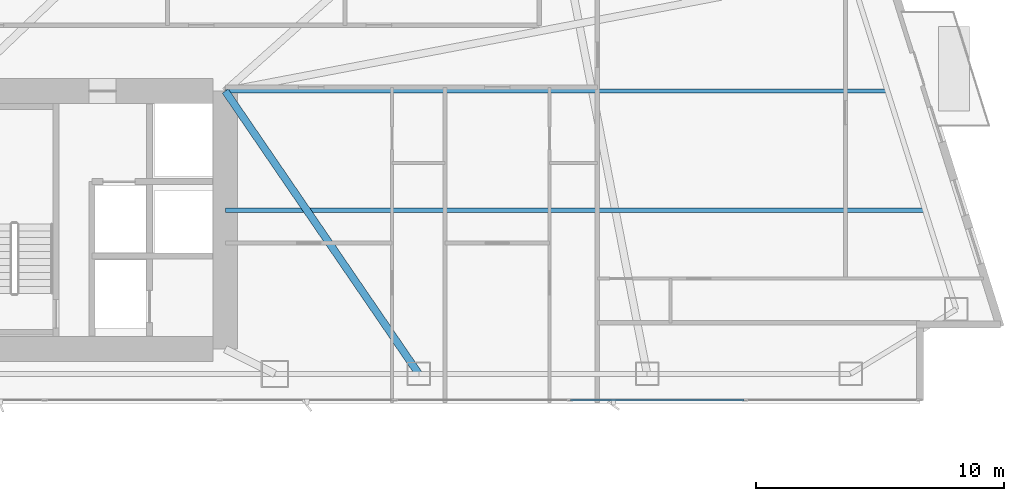
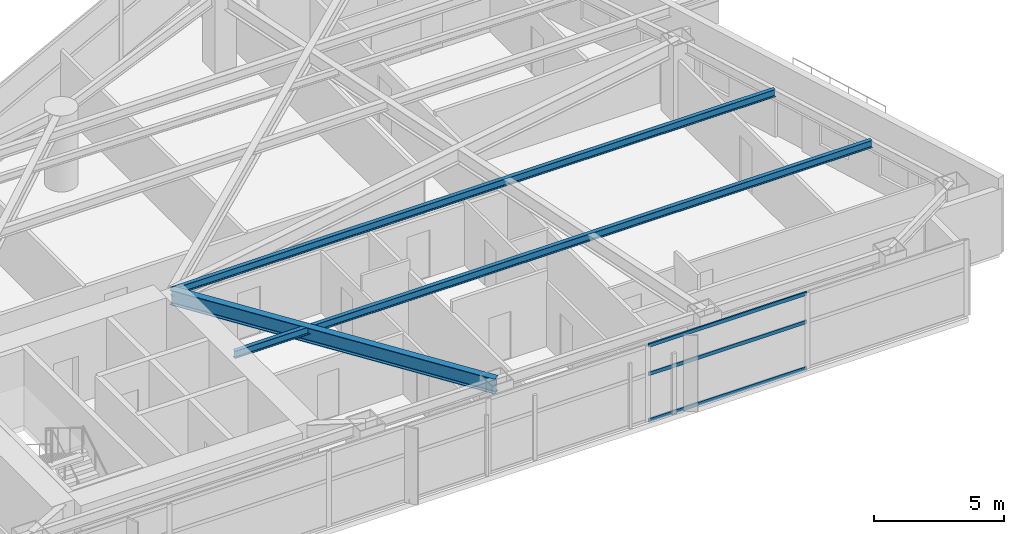
# One storey, part 13 of 29: 3 beams, 3 members, 1 element without a shape of its own.
"""IFC4 building model written with IfcOpenShell, lengths in metres."""

from ifc_helpers import new_model, si_unit, direction, frame, origin, origin_2d, place, context, subcontext, project, spatial, hollow_rectangle, i_section, extrude, material, layer, layer_set, material_profile, profile_set, type_object, element, aggregate, save


model = new_model("IFC4")

# Units and contexts
model_context = context("Model", 3, precision=1e-05, world=origin(), true_north=direction((0.0, 1.0)))
body_context = subcontext(model_context, "Body", "Model", "MODEL_VIEW")
ifc_project = project(units=[si_unit("LENGTHUNIT", "METRE"), si_unit("AREAUNIT", "SQUARE_METRE"), si_unit("VOLUMEUNIT", "CUBIC_METRE"), si_unit("PLANEANGLEUNIT", "RADIAN"), si_unit("MASSUNIT", "GRAM", prefix="KILO")], contexts=[model_context])

# Site, building, storey
site_placement = place(None, origin())
site = spatial("IfcSite", under=ifc_project, at=site_placement, CompositionType="ELEMENT")
building_placement = place(site_placement, origin())
building = spatial("IfcBuilding", under=site, at=building_placement, Name="Calvorn Quay Hotel", CompositionType="ELEMENT")
storey_placement = place(building_placement, frame((0.0, 0.0, 38.39990234375)))
storey = spatial("IfcBuildingStorey", under=building, at=storey_placement, Name="L08", CompositionType="ELEMENT", Elevation=38.39990234375)

# Beams
ifc_material_1 = material(Name="Steel Q390GJC", Category="steel")
ifc_material_profile_1 = material_profile(ifc_material_1, i_section(OverallWidth=0.300048828125, OverallDepth=0.699951171875, WebThickness=0.012939453125, FlangeThickness=0.02392578125, FilletRadius=0.02392578125, at=origin_2d()), Name="HN700x300x13x24")
ifc_profile_set_1 = profile_set([ifc_material_profile_1], Name="Steel Q390GJC")
beam_type_1 = type_object("IfcBeamType", Name="BM-GIRD-MAIN", PredefinedType="BEAM", material=ifc_profile_set_1)
beam_1_placement = place(storey_placement, frame((40.199951171875, 3.60009765625, 3.190185546875), z_axis=(-0.564689618177, 0.825303359452, 0.0), x_axis=(-0.825303359452, -0.564689618177, 0.0)))
element("IfcBeam", 1, at=beam_1_placement, inside=storey, type_object=beam_type_1, Name="Beam BG-L08-E6", PredefinedType="BEAM", context=body_context, shape_type="SweptSolid", body=[
    extrude(i_section(OverallWidth=0.300048828125, OverallDepth=0.699951171875, WebThickness=0.012939453125, FlangeThickness=0.02392578125, FilletRadius=0.02392578125, at=origin_2d()), origin(), (0.0, 0.0, 1.0), 13.81298828125),
])
ifc_material_2 = material(Name="Steel Q355B", Category="steel")
ifc_material_profile_2 = material_profile(ifc_material_2, i_section(OverallWidth=0.175048828125, OverallDepth=0.35009765625, WebThickness=0.007080078125, FlangeThickness=0.010986328125, FilletRadius=0.013916015625, at=origin_2d()), Name="HN350x175x7x11")
ifc_profile_set_2 = profile_set([ifc_material_profile_2], Name="Steel Q355B")
beam_type_2 = type_object("IfcBeamType", Name="BM-JOIST-SEC", PredefinedType="JOIST", material=ifc_profile_set_2)
beam_2_placement = place(storey_placement, frame((32.39990234375, 10.199951171875, 3.364990234375), z_axis=(1.0, 0.0, 0.0), x_axis=(0.0, 1.0, 0.0)))
element("IfcBeam", 2, at=beam_2_placement, inside=storey, type_object=beam_type_2, Name="Beam BJ-L08-E1", PredefinedType="JOIST", context=body_context, shape_type="SweptSolid", body=[
    extrude(i_section(OverallWidth=0.175048828125, OverallDepth=0.35009765625, WebThickness=0.007080078125, FlangeThickness=0.010986328125, FilletRadius=0.013916015625, at=origin_2d()), origin(), (0.0, 0.0, 1.0), 28.201171875),
])
beam_3_placement = place(storey_placement, frame((32.39990234375, 15.0, 3.364990234375), z_axis=(1.0, 0.0, 0.0), x_axis=(0.0, 1.0, 0.0)))
element("IfcBeam", 3, at=beam_3_placement, inside=storey, type_object=beam_type_2, Name="Beam BJ-L08-E2", PredefinedType="JOIST", context=body_context, shape_type="SweptSolid", body=[
    extrude(i_section(OverallWidth=0.175048828125, OverallDepth=0.35009765625, WebThickness=0.007080078125, FlangeThickness=0.010986328125, FilletRadius=0.013916015625, at=origin_2d()), origin(), (0.0, 0.0, 1.0), 26.68798828125),
])

# Curtain wall, members
ifc_material_3 = material(Name="Pale Anodised Aluminium and Low-E Glass", Category="aluminium")
ifc_layer = layer(ifc_material_3, 0.219970703125)
ifc_layer_set = layer_set([ifc_layer], Name="CW-SYS-Z1")
curtain_wall_type = type_object("IfcCurtainWallType", Name="CW-SYS-Z1", PredefinedType="NOTDEFINED", material=ifc_layer_set)
curtain_wall_placement = place(storey_placement, origin())
curtain_wall = element("IfcCurtainWall", 4, at=curtain_wall_placement, inside=storey, type_object=curtain_wall_type, Name="Tower South Waterfront Curtain Wall (L08)", PredefinedType="NOTDEFINED")
ifc_material_4 = material(Name="Pale Anodised Aluminium 6063-T6", Category="aluminium")
ifc_material_profile_3 = material_profile(ifc_material_4, hollow_rectangle(XDim=0.06494140625, YDim=0.1650390625, WallThickness=0.00341796875, at=origin_2d()), Name="ALU-T165x65x3.5")
ifc_profile_set_3 = profile_set([ifc_material_profile_3], Name="Pale Anodised Aluminium 6063-T6")
member_type = type_object("IfcMemberType", Name="CW-SYS-Z1-TRN", PredefinedType="USERDEFINED", material=ifc_profile_set_3)
member_1_placement = place(storey_placement, frame((46.315673828125, 2.550048828125, 0.030029296875), z_axis=(1.0, 0.0, 0.0), x_axis=(0.0, 1.0, 0.0)))
member_1 = element("IfcMember", 5, at=member_1_placement, type_object=member_type, Name="CW-L08-S transom 6.1", ObjectType="TRANSOM", PredefinedType="USERDEFINED", context=body_context, shape_type="SweptSolid", body=[
    extrude(hollow_rectangle(XDim=0.06494140625, YDim=0.1650390625, WallThickness=0.00341796875, at=origin_2d()), origin(), (0.0, 0.0, 1.0), 6.9970703125),
])
member_2_placement = place(storey_placement, frame((46.315673828125, 2.550048828125, 2.2001953125), z_axis=(1.0, 0.0, 0.0), x_axis=(0.0, 1.0, 0.0)))
member_2 = element("IfcMember", 6, at=member_2_placement, type_object=member_type, Name="CW-L08-S transom 6.2", ObjectType="TRANSOM", PredefinedType="USERDEFINED", context=body_context, shape_type="SweptSolid", body=[
    extrude(hollow_rectangle(XDim=0.06494140625, YDim=0.1650390625, WallThickness=0.00341796875, at=origin_2d()), origin(), (0.0, 0.0, 1.0), 6.9970703125),
])
member_3_placement = place(storey_placement, frame((46.315673828125, 2.550048828125, 3.530029296875), z_axis=(1.0, 0.0, 0.0), x_axis=(0.0, 1.0, 0.0)))
member_3 = element("IfcMember", 7, at=member_3_placement, type_object=member_type, Name="CW-L08-S transom 6.3", ObjectType="TRANSOM", PredefinedType="USERDEFINED", context=body_context, shape_type="SweptSolid", body=[
    extrude(hollow_rectangle(XDim=0.06494140625, YDim=0.1650390625, WallThickness=0.00341796875, at=origin_2d()), origin(), (0.0, 0.0, 1.0), 6.9970703125),
])
aggregate(curtain_wall, [member_1, member_2, member_3])

save(model, "model.ifc")
